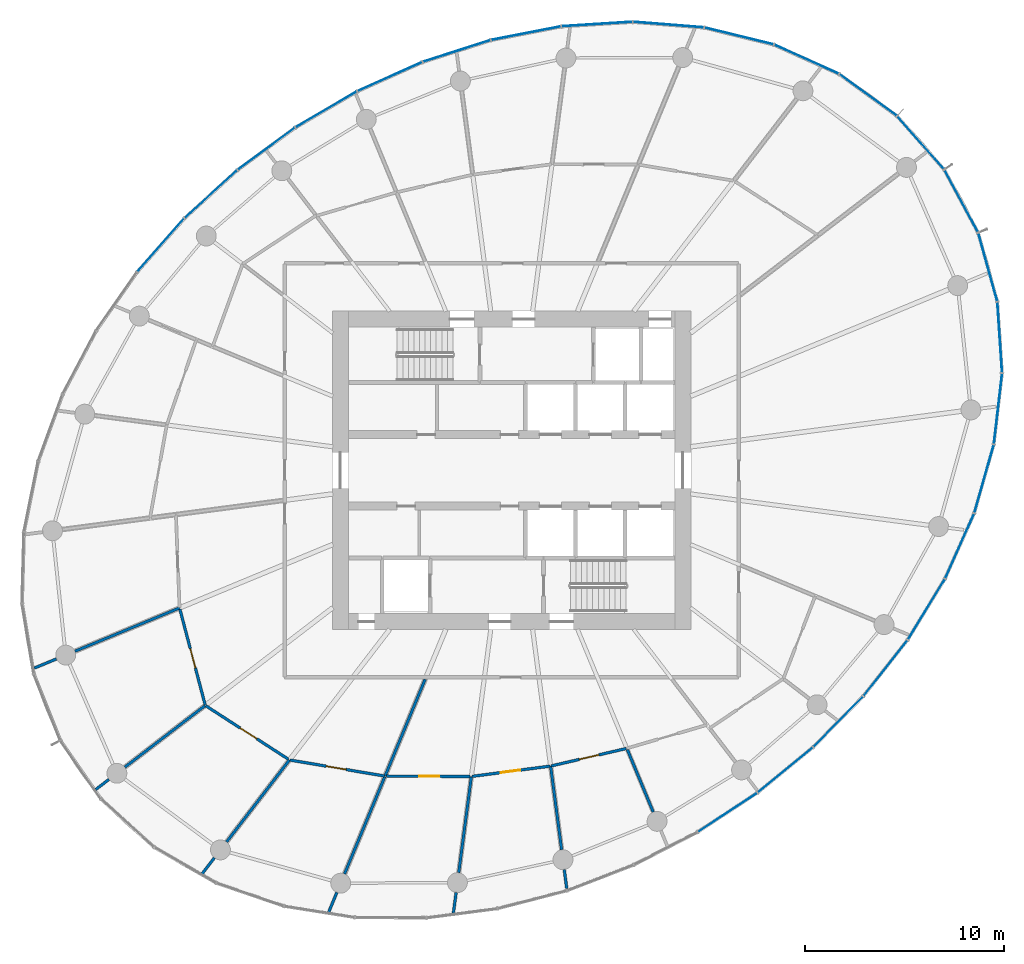
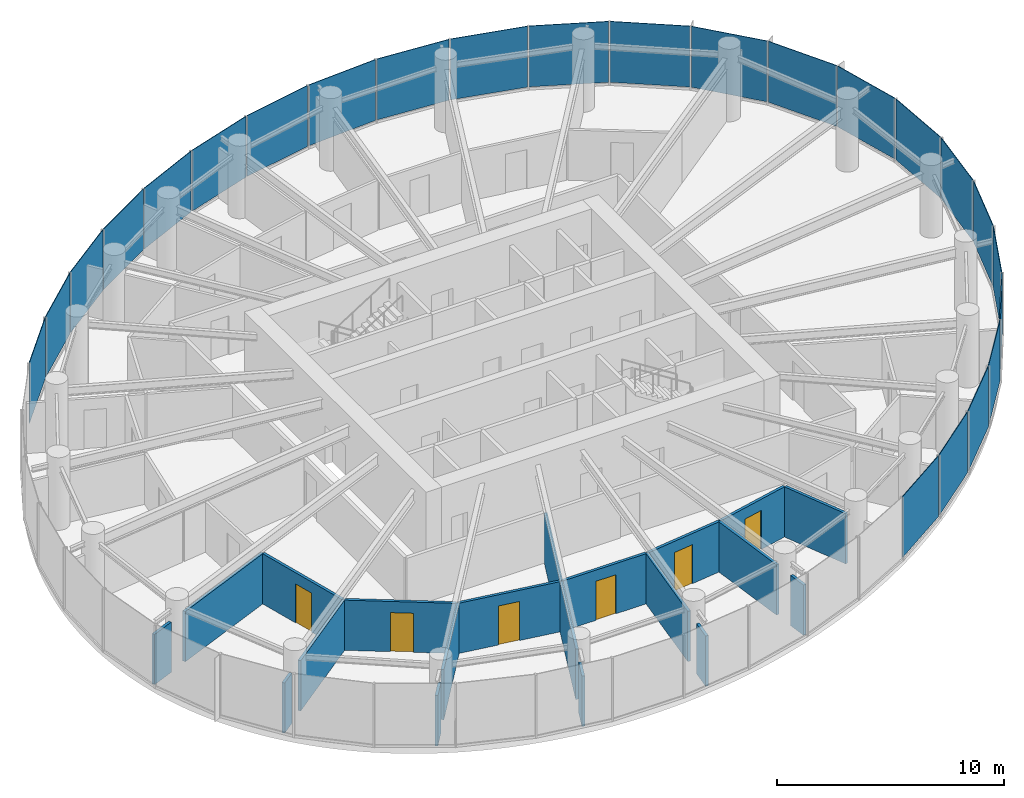
# One storey, part 8 of 15: 24 plates, 20 walls, 6 doors, 6 openings, 5 elements without a shape of their own.
"""IFC4 building model written with IfcOpenShell, lengths in metres."""

from ifc_helpers import new_model, si_unit, direction, frame, frame_2d, origin, origin_2d, place, context, subcontext, project, spatial, rectangle, extrude, source, transform, mapped, material, layer, layer_set, type_object, element, fill, aggregate, save


model = new_model("IFC4")

# Units and contexts
model_context = context("Model", 3, precision=1e-05, world=origin(), true_north=direction((0.0, 1.0)))
body_context = subcontext(model_context, "Body", "Model", "MODEL_VIEW")
ifc_project = project(units=[si_unit("LENGTHUNIT", "METRE"), si_unit("AREAUNIT", "SQUARE_METRE"), si_unit("VOLUMEUNIT", "CUBIC_METRE"), si_unit("PLANEANGLEUNIT", "RADIAN"), si_unit("MASSUNIT", "GRAM", prefix="KILO")], contexts=[model_context])

# Site, building, storey
site_placement = place(None, origin())
site = spatial("IfcSite", under=ifc_project, at=site_placement, CompositionType="ELEMENT")
building_placement = place(site_placement, origin())
building = spatial("IfcBuilding", under=site, at=building_placement, Name="Spindrift Exchange Tower", CompositionType="ELEMENT")
storey_placement = place(building_placement, frame((0.0, 0.0, 176.0)))
storey = spatial("IfcBuildingStorey", under=building, at=storey_placement, Name="L42", CompositionType="ELEMENT", Elevation=176.0)

# Curtain wall, plates
ifc_material_1 = material(Name="Fritted laminated glass with bronze frame", Category="glass")
ifc_layer_1 = layer(ifc_material_1, 0.179931640625)
ifc_layer_set_1 = layer_set([ifc_layer_1], Name="ZONE 3 BRONZE FRITTED WALL")
curtain_wall_type = type_object("IfcCurtainWallType", Name="ZONE 3 BRONZE FRITTED WALL", PredefinedType="NOTDEFINED", material=ifc_layer_set_1)
curtain_wall_1_placement = place(storey_placement, origin())
curtain_wall_1 = element("IfcCurtainWall", 1, at=curtain_wall_1_placement, inside=storey, type_object=curtain_wall_type, Name="L42 Zone 3 Bronze Fritted Wall run 1", PredefinedType="NOTDEFINED")
ifc_material_2 = material(Name="Bronze fritted laminated glass, open frit", Category="glass")
ifc_layer_2 = layer(ifc_material_2, 0.031982421875)
ifc_layer_set_2 = layer_set([ifc_layer_2], Name="ZONE 3 BRONZE FRITTED WALL PANEL OPEN FRIT 600")
plate_type_1 = type_object("IfcPlateType", Name="ZONE 3 BRONZE FRITTED WALL PANEL OPEN FRIT 600", PredefinedType="CURTAIN_PANEL", material=ifc_layer_set_2)
shared_shape_1 = source(origin(), body_context, "Body", "SweptSolid", [
    extrude(rectangle(XDim=3.524658203125, YDim=0.031982421875, at=origin_2d()), origin(), (0.0, 0.0, 1.0), 3.27001953125),
])
plate_1_placement = place(storey_placement, frame((72.542724609375, 64.44921875, 0.1298828125), z_axis=(0.0, 0.0, 1.0), x_axis=(-0.660662258976, 0.750683275133, 0.0)))
plate_1 = element("IfcPlate", 2, at=plate_1_placement, type_object=plate_type_1, Name="L42 panel CW-3.1", PredefinedType="CURTAIN_PANEL", context=body_context, shape_type="MappedRepresentation", body=[
    mapped(shared_shape_1, transform((0.0, 0.0, 0.0), scale=1.0)),
])
ifc_layer_3 = layer(ifc_material_2, 0.031982421875)
ifc_layer_set_3 = layer_set([ifc_layer_3], Name="ZONE 3 BRONZE FRITTED WALL PANEL OPEN FRIT 480")
plate_type_2 = type_object("IfcPlateType", Name="ZONE 3 BRONZE FRITTED WALL PANEL OPEN FRIT 480", PredefinedType="CURTAIN_PANEL", material=ifc_layer_set_3)
shared_shape_2 = source(origin(), body_context, "Body", "SweptSolid", [
    extrude(rectangle(XDim=3.525634765625, YDim=0.031982421875, at=origin_2d()), origin(), (0.0, 0.0, 1.0), 3.27001953125),
])
plate_2_placement = place(storey_placement, frame((69.8994140625, 66.853515625, 0.1298828125), z_axis=(0.0, 0.0, 1.0), x_axis=(-0.809757036341, 0.586765321143, 0.0)))
plate_2 = element("IfcPlate", 3, at=plate_2_placement, type_object=plate_type_2, Name="L42 panel CW-3.2", PredefinedType="CURTAIN_PANEL", context=body_context, shape_type="MappedRepresentation", body=[
    mapped(shared_shape_2, transform((0.0, 0.0, 0.0), scale=1.0)),
])

# Curtain wall, plate
curtain_wall_2_placement = place(storey_placement, origin())
curtain_wall_2 = element("IfcCurtainWall", 4, at=curtain_wall_2_placement, inside=storey, type_object=curtain_wall_type, Name="L42 Zone 3 Bronze Fritted Wall run 7", PredefinedType="NOTDEFINED")
plate_3_placement = place(storey_placement, frame((75.912109375, 58.20068359375, 0.1298828125), z_axis=(0.0, 0.0, 1.0), x_axis=(-0.267551186541, 0.963543648508, 0.0)))
plate_3 = element("IfcPlate", 5, at=plate_3_placement, type_object=plate_type_2, Name="L42 panel CW-3.40", PredefinedType="CURTAIN_PANEL", context=body_context, shape_type="MappedRepresentation", body=[
    mapped(shared_shape_2, transform((0.0, 0.0, 0.0), scale=1.0)),
])

# Plate
shared_shape_3 = source(origin(), body_context, "Body", "SweptSolid", [
    extrude(rectangle(XDim=3.52685546875, YDim=0.031982421875, at=origin_2d()), origin(), (0.0, 0.0, 1.0), 3.27001953125),
])
plate_4_placement = place(storey_placement, frame((66.803466796875, 68.64599609375, 0.1298828125), z_axis=(0.0, 0.0, 1.0), x_axis=(-0.9120027449, 0.410184096832, 0.0)))
plate_4 = element("IfcPlate", 6, at=plate_4_placement, type_object=plate_type_1, Name="L42 panel CW-3.3", PredefinedType="CURTAIN_PANEL", context=body_context, shape_type="MappedRepresentation", body=[
    mapped(shared_shape_3, transform((0.0, 0.0, 0.0), scale=1.0)),
])

shared_shape_4 = source(origin(), body_context, "Body", "SweptSolid", [
    extrude(rectangle(XDim=3.528076171875, YDim=0.031982421875, at=origin_2d()), origin(), (0.0, 0.0, 1.0), 3.27001953125),
])
plate_5_placement = place(storey_placement, frame((63.416015625, 69.81201171875, 0.1298828125), z_axis=(0.0, 0.0, 1.0), x_axis=(-0.971255303602, 0.238040196656, 0.0)))
plate_5 = element("IfcPlate", 7, at=plate_5_placement, type_object=plate_type_1, Name="L42 panel CW-3.4", PredefinedType="CURTAIN_PANEL", context=body_context, shape_type="MappedRepresentation", body=[
    mapped(shared_shape_4, transform((0.0, 0.0, 0.0), scale=1.0)),
])

ifc_layer_4 = layer(ifc_material_2, 0.031982421875)
ifc_layer_set_4 = layer_set([ifc_layer_4], Name="ZONE 3 BRONZE FRITTED WALL PANEL OPEN FRIT 360")
plate_type_3 = type_object("IfcPlateType", Name="ZONE 3 BRONZE FRITTED WALL PANEL OPEN FRIT 360", PredefinedType="CURTAIN_PANEL", material=ifc_layer_set_4)
shared_shape_5 = source(origin(), body_context, "Body", "SweptSolid", [
    extrude(rectangle(XDim=3.529052734375, YDim=0.031982421875, at=origin_2d()), origin(), (0.0, 0.0, 1.0), 3.27001953125),
])
plate_6_placement = place(storey_placement, frame((59.874755859375, 70.3828125, 0.1298828125), z_axis=(0.0, 0.0, 1.0), x_axis=(-0.99685097737, 0.079297723277, 0.0)))
plate_6 = element("IfcPlate", 8, at=plate_6_placement, type_object=plate_type_3, Name="L42 panel CW-3.5", PredefinedType="CURTAIN_PANEL", context=body_context, shape_type="MappedRepresentation", body=[
    mapped(shared_shape_5, transform((0.0, 0.0, 0.0), scale=1.0)),
])

shared_shape_6 = source(origin(), body_context, "Body", "SweptSolid", [
    extrude(rectangle(XDim=3.52978515625, YDim=0.031982421875, at=origin_2d()), origin(), (0.0, 0.0, 1.0), 3.27001953125),
])
plate_7_placement = place(storey_placement, frame((56.284423828125, 70.411376953125, 0.1298828125), z_axis=(0.0, 0.0, 1.0), x_axis=(-0.997985196904, -0.063447196626, 0.0)))
plate_7 = element("IfcPlate", 9, at=plate_7_placement, type_object=plate_type_1, Name="L42 panel CW-3.6", PredefinedType="CURTAIN_PANEL", context=body_context, shape_type="MappedRepresentation", body=[
    mapped(shared_shape_6, transform((0.0, 0.0, 0.0), scale=1.0)),
])

aggregate(curtain_wall_1, [plate_1, plate_2, plate_4, plate_5, plate_6, plate_7])

# Curtain wall, plate
curtain_wall_3_placement = place(storey_placement, origin())
curtain_wall_3 = element("IfcCurtainWall", 10, at=curtain_wall_3_placement, inside=storey, type_object=curtain_wall_type, Name="L42 Zone 3 Bronze Fritted Wall run 6", PredefinedType="NOTDEFINED")
plate_8_placement = place(storey_placement, frame((74.49853515625, 44.19970703125, 0.1298828125), z_axis=(0.0, 0.0, 1.0), x_axis=(0.407490673381, 0.913209368714, 0.0)))
plate_8 = element("IfcPlate", 11, at=plate_8_placement, type_object=plate_type_1, Name="L42 panel CW-3.36", PredefinedType="CURTAIN_PANEL", context=body_context, shape_type="MappedRepresentation", body=[
    mapped(shared_shape_6, transform((0.0, 0.0, 0.0), scale=1.0)),
])

# Curtain wall, plates
curtain_wall_4_placement = place(storey_placement, origin())
curtain_wall_4 = element("IfcCurtainWall", 12, at=curtain_wall_4_placement, inside=storey, type_object=curtain_wall_type, Name="L42 Zone 3 Bronze Fritted Wall run 2", PredefinedType="NOTDEFINED")
shared_shape_7 = source(origin(), body_context, "Body", "SweptSolid", [
    extrude(rectangle(XDim=3.5302734375, YDim=0.031982421875, at=origin_2d()), origin(), (0.0, 0.0, 1.0), 3.27001953125),
])
plate_9_placement = place(storey_placement, frame((52.72119140625, 69.953369140625, 0.1298828125), z_axis=(0.0, 0.0, 1.0), x_axis=(-0.981587532358, -0.191012869514, 0.0)))
plate_9 = element("IfcPlate", 13, at=plate_9_placement, type_object=plate_type_1, Name="L42 panel CW-3.7", PredefinedType="CURTAIN_PANEL", context=body_context, shape_type="MappedRepresentation", body=[
    mapped(shared_shape_7, transform((0.0, 0.0, 0.0), scale=1.0)),
])
shared_shape_8 = source(origin(), body_context, "Body", "SweptSolid", [
    extrude(rectangle(XDim=3.530517578125, YDim=0.031982421875, at=origin_2d()), origin(), (0.0, 0.0, 1.0), 3.27001953125),
])
plate_10_placement = place(storey_placement, frame((49.239990234375, 69.059326171875, 0.1298828125), z_axis=(0.0, 0.0, 1.0), x_axis=(-0.952164599996, -0.305585625503, 0.0)))
plate_10 = element("IfcPlate", 14, at=plate_10_placement, type_object=plate_type_1, Name="L42 panel CW-3.8", PredefinedType="CURTAIN_PANEL", context=body_context, shape_type="MappedRepresentation", body=[
    mapped(shared_shape_8, transform((0.0, 0.0, 0.0), scale=1.0)),
])
shared_shape_9 = source(origin(), body_context, "Body", "SweptSolid", [
    extrude(rectangle(XDim=3.53076171875, YDim=0.031982421875, at=origin_2d()), origin(), (0.0, 0.0, 1.0), 3.27001953125),
])
plate_11_placement = place(storey_placement, frame((45.88330078125, 67.772216796875, 0.1298828125), z_axis=(0.0, 0.0, 1.0), x_axis=(-0.912397501866, -0.409305263328, 0.0)))
plate_11 = element("IfcPlate", 15, at=plate_11_placement, type_object=plate_type_1, Name="L42 panel CW-3.9", PredefinedType="CURTAIN_PANEL", context=body_context, shape_type="MappedRepresentation", body=[
    mapped(shared_shape_9, transform((0.0, 0.0, 0.0), scale=1.0)),
])
plate_12_placement = place(storey_placement, frame((36.89794921875, 61.875244140625, 0.1298828125), z_axis=(0.0, 0.0, 1.0), x_axis=(-0.739077595143, -0.673620299841, 0.0)))
plate_12 = element("IfcPlate", 16, at=plate_12_placement, type_object=plate_type_1, Name="L42 panel CW-3.12", PredefinedType="CURTAIN_PANEL", context=body_context, shape_type="MappedRepresentation", body=[
    mapped(shared_shape_9, transform((0.0, 0.0, 0.0), scale=1.0)),
])

# Plate
plate_13_placement = place(storey_placement, frame((68.397705078125, 35.37158203125, 0.1298828125), z_axis=(0.0, 0.0, 1.0), x_axis=(0.701796304314, 0.71237767178, 0.0)))
plate_13 = element("IfcPlate", 17, at=plate_13_placement, type_object=plate_type_1, Name="L42 panel CW-3.33", PredefinedType="CURTAIN_PANEL", context=body_context, shape_type="MappedRepresentation", body=[
    mapped(shared_shape_9, transform((0.0, 0.0, 0.0), scale=1.0)),
])

shared_shape_10 = source(origin(), body_context, "Body", "SweptSolid", [
    extrude(rectangle(XDim=3.531005859375, YDim=0.031982421875, at=origin_2d()), origin(), (0.0, 0.0, 1.0), 3.27001953125),
])
plate_14_placement = place(storey_placement, frame((42.685791015625, 66.12744140625, 0.1298828125), z_axis=(0.0, 0.0, 1.0), x_axis=(-0.863565451016, -0.504236761661, 0.0)))
plate_14 = element("IfcPlate", 18, at=plate_14_placement, type_object=plate_type_3, Name="L42 panel CW-3.10", PredefinedType="CURTAIN_PANEL", context=body_context, shape_type="MappedRepresentation", body=[
    mapped(shared_shape_10, transform((0.0, 0.0, 0.0), scale=1.0)),
])

shared_shape_11 = source(origin(), body_context, "Body", "SweptSolid", [
    extrude(rectangle(XDim=3.531005859375, YDim=0.031982421875, at=origin_2d()), origin(), (0.0, 0.0, 1.0), 3.27001953125),
])
plate_15_placement = place(storey_placement, frame((39.6796875, 64.15380859375, 0.1298828125), z_axis=(0.0, 0.0, 1.0), x_axis=(-0.805965477943, -0.591962539663, 0.0)))
plate_15 = element("IfcPlate", 19, at=plate_15_placement, type_object=plate_type_1, Name="L42 panel CW-3.11", PredefinedType="CURTAIN_PANEL", context=body_context, shape_type="MappedRepresentation", body=[
    mapped(shared_shape_11, transform((0.0, 0.0, 0.0), scale=1.0)),
])

aggregate(curtain_wall_4, [plate_9, plate_10, plate_11, plate_14, plate_15, plate_12])

plate_16_placement = place(storey_placement, frame((62.84326171875, 30.819580078125, 0.1298828125), z_axis=(0.0, 0.0, 1.0), x_axis=(0.835875388967, 0.548919241891, 0.0)))
plate_16 = element("IfcPlate", 20, at=plate_16_placement, type_object=plate_type_1, Name="L42 panel CW-3.31", PredefinedType="CURTAIN_PANEL", context=body_context, shape_type="MappedRepresentation", body=[
    mapped(shared_shape_11, transform((0.0, 0.0, 0.0), scale=1.0)),
])

plate_17_placement = place(storey_placement, frame((65.7412109375, 32.948486328125, 0.1298828125), z_axis=(0.0, 0.0, 1.0), x_axis=(0.773741814614, 0.633501068916, 0.0)))
plate_17 = element("IfcPlate", 21, at=plate_17_placement, type_object=plate_type_1, Name="L42 panel CW-3.32", PredefinedType="CURTAIN_PANEL", context=body_context, shape_type="MappedRepresentation", body=[
    mapped(shared_shape_11, transform((0.0, 0.0, 0.0), scale=1.0)),
])

# Curtain wall, plate
curtain_wall_5_placement = place(storey_placement, origin())
curtain_wall_5 = element("IfcCurtainWall", 22, at=curtain_wall_5_placement, inside=storey, type_object=curtain_wall_type, Name="L42 Zone 3 Bronze Fritted Wall run 3", PredefinedType="NOTDEFINED")
shared_shape_12 = source(origin(), body_context, "Body", "SweptSolid", [
    extrude(rectangle(XDim=3.53076171875, YDim=0.031982421875, at=origin_2d()), origin(), (0.0, 0.0, 1.0), 3.27001953125),
])
plate_18_placement = place(storey_placement, frame((34.376220703125, 59.312744140625, 0.1298828125), z_axis=(0.0, 0.0, 1.0), x_axis=(-0.661686211487, -0.749780873008, 0.0)))
plate_18 = element("IfcPlate", 23, at=plate_18_placement, type_object=plate_type_3, Name="L42 panel CW-3.13", PredefinedType="CURTAIN_PANEL", context=body_context, shape_type="MappedRepresentation", body=[
    mapped(shared_shape_12, transform((0.0, 0.0, 0.0), scale=1.0)),
])
aggregate(curtain_wall_5, [plate_18])

# Plate
shared_shape_13 = source(origin(), body_context, "Body", "SweptSolid", [
    extrude(rectangle(XDim=3.530517578125, YDim=0.031982421875, at=origin_2d()), origin(), (0.0, 0.0, 1.0), 3.27001953125),
])
plate_19_placement = place(storey_placement, frame((70.774658203125, 38.069091796875, 0.1298828125), z_axis=(0.0, 0.0, 1.0), x_axis=(0.61845639947, 0.78581911529, 0.0)))
plate_19 = element("IfcPlate", 24, at=plate_19_placement, type_object=plate_type_2, Name="L42 panel CW-3.34", PredefinedType="CURTAIN_PANEL", context=body_context, shape_type="MappedRepresentation", body=[
    mapped(shared_shape_13, transform((0.0, 0.0, 0.0), scale=1.0)),
])

shared_shape_14 = source(origin(), body_context, "Body", "SweptSolid", [
    extrude(rectangle(XDim=3.5302734375, YDim=0.031982421875, at=origin_2d()), origin(), (0.0, 0.0, 1.0), 3.27001953125),
])
plate_20_placement = place(storey_placement, frame((72.82666015625, 41.019775390625, 0.1298828125), z_axis=(0.0, 0.0, 1.0), x_axis=(0.521344780273, 0.853346131462, 0.0)))
plate_20 = element("IfcPlate", 25, at=plate_20_placement, type_object=plate_type_3, Name="L42 panel CW-3.35", PredefinedType="CURTAIN_PANEL", context=body_context, shape_type="MappedRepresentation", body=[
    mapped(shared_shape_14, transform((0.0, 0.0, 0.0), scale=1.0)),
])

aggregate(curtain_wall_3, [plate_16, plate_17, plate_13, plate_19, plate_20, plate_8])

shared_shape_15 = source(origin(), body_context, "Body", "SweptSolid", [
    extrude(rectangle(XDim=3.529052734375, YDim=0.031982421875, at=origin_2d()), origin(), (0.0, 0.0, 1.0), 3.27001953125),
])
plate_21_placement = place(storey_placement, frame((75.723876953125, 47.574462890625, 0.1298828125), z_axis=(0.0, 0.0, 1.0), x_axis=(0.273314592, 0.96192470277, 0.0)))
plate_21 = element("IfcPlate", 26, at=plate_21_placement, type_object=plate_type_2, Name="L42 panel CW-3.37", PredefinedType="CURTAIN_PANEL", context=body_context, shape_type="MappedRepresentation", body=[
    mapped(shared_shape_15, transform((0.0, 0.0, 0.0), scale=1.0)),
])

shared_shape_16 = source(origin(), body_context, "Body", "SweptSolid", [
    extrude(rectangle(XDim=3.528076171875, YDim=0.031982421875, at=origin_2d()), origin(), (0.0, 0.0, 1.0), 3.27001953125),
])
plate_22_placement = place(storey_placement, frame((76.423583984375, 51.092529296875, 0.1298828125), z_axis=(0.0, 0.0, 1.0), x_axis=(0.115642762791, 0.993290869491, 0.0)))
plate_22 = element("IfcPlate", 27, at=plate_22_placement, type_object=plate_type_2, Name="L42 panel CW-3.38", PredefinedType="CURTAIN_PANEL", context=body_context, shape_type="MappedRepresentation", body=[
    mapped(shared_shape_16, transform((0.0, 0.0, 0.0), scale=1.0)),
])

shared_shape_17 = source(origin(), body_context, "Body", "SweptSolid", [
    extrude(rectangle(XDim=3.52685546875, YDim=0.031982421875, at=origin_2d()), origin(), (0.0, 0.0, 1.0), 3.27001953125),
])
plate_23_placement = place(storey_placement, frame((76.512451171875, 54.674072265625, 0.1298828125), z_axis=(0.0, 0.0, 1.0), x_axis=(-0.066390579917, 0.997793711595, 0.0)))
plate_23 = element("IfcPlate", 28, at=plate_23_placement, type_object=plate_type_2, Name="L42 panel CW-3.39", PredefinedType="CURTAIN_PANEL", context=body_context, shape_type="MappedRepresentation", body=[
    mapped(shared_shape_17, transform((0.0, 0.0, 0.0), scale=1.0)),
])

shared_shape_18 = source(origin(), body_context, "Body", "SweptSolid", [
    extrude(rectangle(XDim=3.52490234375, YDim=0.031982421875, at=origin_2d()), origin(), (0.0, 0.0, 1.0), 3.27001953125),
])
plate_24_placement = place(storey_placement, frame((74.58056640625, 61.5166015625, 0.1298828125), z_axis=(0.0, 0.0, 1.0), x_axis=(-0.473127475376, 0.880993979574, 0.0)))
plate_24 = element("IfcPlate", 29, at=plate_24_placement, type_object=plate_type_1, Name="L42 panel CW-3.41", PredefinedType="CURTAIN_PANEL", context=body_context, shape_type="MappedRepresentation", body=[
    mapped(shared_shape_18, transform((0.0, 0.0, 0.0), scale=1.0)),
])

aggregate(curtain_wall_2, [plate_21, plate_22, plate_23, plate_3, plate_24])

# Walls
ifc_material_3 = material(Name="Fire-rated plasterboard partition", Category="gypsum")
ifc_layer_5 = layer(ifc_material_3, 0.139892578125)
ifc_layer_set_5 = layer_set([ifc_layer_5], Name="W-PART-140")
wall_type = type_object("IfcWallType", Name="W-PART-140", PredefinedType="PARTITIONING", material=ifc_layer_set_5)
wall_1_placement = place(storey_placement, frame((35.320556640625, 41.091064453125, 0.0), z_axis=(0.0, 0.0, 1.0), x_axis=(-0.923886990837, -0.382665425879, 0.0)))
element("IfcWall", 30, at=wall_1_placement, inside=storey, type_object=wall_type, Name="L42 Partition wall 31", PredefinedType="PARTITIONING", context=body_context, shape_type="SweptSolid", body=[
    extrude(rectangle(XDim=5.683349609375, YDim=0.139892578125, at=frame_2d((2.841796875, 0.0))), origin(), (0.0, 0.0, 1.0), 2.699951171875),
])
wall_2_placement = place(storey_placement, frame((47.65478515625, 37.510009765625, 0.0), z_axis=(0.0, 0.0, 1.0), x_axis=(-0.382665709235, -0.923886873473, 0.0)))
element("IfcWall", 31, at=wall_2_placement, inside=storey, type_object=wall_type, Name="L42 Partition wall 34", PredefinedType="PARTITIONING", context=body_context, shape_type="SweptSolid", body=[
    extrude(rectangle(XDim=5.26611328125, YDim=0.139892578125, at=frame_2d((2.633056640625, 0.0))), origin(), (0.0, 0.0, 1.0), 2.699951171875),
])
wall_3_placement = place(storey_placement, frame((45.628173828125, 32.6171875, 0.0), z_axis=(0.0, 0.0, 1.0), x_axis=(-0.382675537461, -0.923882802648, 0.0)))
element("IfcWall", 32, at=wall_3_placement, inside=storey, type_object=wall_type, Name="L42 Partition wall 35", PredefinedType="PARTITIONING", context=body_context, shape_type="SweptSolid", body=[
    extrude(rectangle(XDim=5.28369140625, YDim=0.139892578125, at=frame_2d((2.641845703125, 0.0))), origin(), (0.0, 0.0, 1.0), 2.699951171875),
])
wall_4_placement = place(storey_placement, frame((40.840576171875, 33.456787109375, 0.0), z_axis=(0.0, 0.0, 1.0), x_axis=(-0.608780216018, -0.793338924159, 0.0)))
element("IfcWall", 33, at=wall_4_placement, inside=storey, type_object=wall_type, Name="L42 Partition wall 37", PredefinedType="PARTITIONING", context=body_context, shape_type="SweptSolid", body=[
    extrude(rectangle(XDim=5.188232421875, YDim=0.139892578125, at=frame_2d((2.59423828125, 0.0))), origin(), (0.0, 0.0, 1.0), 2.699951171875),
])
wall_5_placement = place(storey_placement, frame((36.6142578125, 36.194091796875, 0.0), z_axis=(0.0, 0.0, 1.0), x_axis=(-0.79337017358, -0.608739490811, 0.0)))
element("IfcWall", 34, at=wall_5_placement, inside=storey, type_object=wall_type, Name="L42 Partition wall 39", PredefinedType="PARTITIONING", context=body_context, shape_type="SweptSolid", body=[
    extrude(rectangle(XDim=5.09228515625, YDim=0.139892578125, at=frame_2d((2.546142578125, 0.0))), origin(), (0.0, 0.0, 1.0), 2.699951171875),
])

# Wall, opening, door
wall_6_placement = place(storey_placement, frame((36.606689453125, 36.22314453125, 0.0), z_axis=(0.0, 0.0, 1.0), x_axis=(-0.255485666684, 0.966812843377, 0.0)))
wall_6 = element("IfcWall", 35, at=wall_6_placement, inside=storey, type_object=wall_type, Name="L42 Partition wall 41", PredefinedType="PARTITIONING", context=body_context, shape_type="SweptSolid", body=[
    extrude(rectangle(XDim=4.96435546875, YDim=0.139892578125, at=frame_2d((2.482177734375, 0.0))), origin(), (0.0, 0.0, 1.0), 2.699951171875),
])
opening_1_placement = place(wall_6_placement, frame((1.914306640625, 0.0, 0.0)))
opening_1 = element("IfcOpeningElement", 36, at=opening_1_placement, cuts=wall_6, Name="Opening L42-D27", PredefinedType="OPENING", context=body_context, shape_type="SweptSolid", body=[
    extrude(rectangle(XDim=1.0, YDim=2.10009765625, at=frame_2d((0.5, 1.050048828125))), frame((0.0, 0.079833984375, 0.0), z_axis=(0.0, -1.0, 0.0), x_axis=(1.0, 0.0, 0.0)), (0.0, 0.0, 1.0), 0.159912109375),
])
ifc_material_4 = material(Name="Timber-core fire door", Category="wood")
door_type = type_object("IfcDoorType", Name="DR-ROOM-1000", OperationType="NOTDEFINED", PredefinedType="DOOR", material=ifc_material_4)
shared_shape_19 = source(origin(), body_context, "Body", "SweptSolid", [
    extrude(rectangle(XDim=1.0, YDim=2.10009765625, at=frame_2d((0.5, 1.050048828125))), frame((0.0, 0.02490234375, 0.0), z_axis=(0.0, -1.0, 0.0), x_axis=(1.0, 0.0, 0.0)), (0.0, 0.0, 1.0), 0.050048828125),
])
door_1_placement = place(opening_1_placement, origin())
door_1 = element("IfcDoor", 37, at=door_1_placement, inside=storey, type_object=door_type, Name="L42 Door 27", OperationType="SINGLE_SWING_RIGHT", OverallHeight=2.10009765625, OverallWidth=1.0, PredefinedType="DOOR", context=body_context, shape_type="MappedRepresentation", body=[
    mapped(shared_shape_19, transform((0.0, 0.0, 0.0), scale=1.0)),
])
fill(opening_1, door_1)

wall_7_placement = place(storey_placement, frame((40.78173828125, 33.4951171875, 0.0), z_axis=(0.0, 0.0, 1.0), x_axis=(-0.839336490457, 0.543612229247, 0.0)))
wall_7 = element("IfcWall", 38, at=wall_7_placement, inside=storey, type_object=wall_type, Name="L42 Partition wall 43", PredefinedType="PARTITIONING", context=body_context, shape_type="SweptSolid", body=[
    extrude(rectangle(XDim=4.935302734375, YDim=0.139892578125, at=frame_2d((2.4677734375, 0.0))), origin(), (0.0, 0.0, 1.0), 2.699951171875),
])
opening_2_placement = place(wall_7_placement, frame((1.885009765625, 0.0, 0.0)))
opening_2 = element("IfcOpeningElement", 39, at=opening_2_placement, cuts=wall_7, Name="Opening L42-D28", PredefinedType="OPENING", context=body_context, shape_type="SweptSolid", body=[
    extrude(rectangle(XDim=1.0, YDim=2.10009765625, at=frame_2d((0.5, 1.050048828125))), frame((0.0, 0.079833984375, 0.0), z_axis=(0.0, -1.0, 0.0), x_axis=(1.0, 0.0, 0.0)), (0.0, 0.0, 1.0), 0.159912109375),
])
door_2_placement = place(opening_2_placement, origin())
door_2 = element("IfcDoor", 40, at=door_2_placement, inside=storey, type_object=door_type, Name="L42 Door 28", OperationType="SINGLE_SWING_LEFT", OverallHeight=2.10009765625, OverallWidth=1.0, PredefinedType="DOOR", context=body_context, shape_type="MappedRepresentation", body=[
    mapped(shared_shape_19, transform((0.0, 0.0, 0.0), scale=1.0)),
])
fill(opening_2, door_2)

# Wall
wall_8_placement = place(storey_placement, frame((49.97607421875, 32.627197265625, 0.0), z_axis=(0.0, 0.0, 1.0), x_axis=(-0.130536143806, -0.991443551172, 0.0)))
element("IfcWall", 41, at=wall_8_placement, inside=storey, type_object=wall_type, Name="L42 Partition wall 45", PredefinedType="PARTITIONING", context=body_context, shape_type="SweptSolid", body=[
    extrude(rectangle(XDim=4.8740234375, YDim=0.139892578125, at=frame_2d((2.43701171875, 0.0))), origin(), (0.0, 0.0, 1.0), 2.699951171875),
])

# Wall, opening, door
wall_9_placement = place(storey_placement, frame((45.610107421875, 32.64990234375, 0.0), z_axis=(0.0, 0.0, 1.0), x_axis=(-0.985986026567, 0.166827921569, 0.0)))
wall_9 = element("IfcWall", 42, at=wall_9_placement, inside=storey, type_object=wall_type, Name="L42 Partition wall 47", PredefinedType="PARTITIONING", context=body_context, shape_type="SweptSolid", body=[
    extrude(rectangle(XDim=4.807373046875, YDim=0.139892578125, at=frame_2d((2.40380859375, 0.0))), origin(), (0.0, 0.0, 1.0), 2.699951171875),
])
opening_3_placement = place(wall_9_placement, frame((1.957275390625, 0.0, 0.0)))
opening_3 = element("IfcOpeningElement", 43, at=opening_3_placement, cuts=wall_9, Name="Opening L42-D29", PredefinedType="OPENING", context=body_context, shape_type="SweptSolid", body=[
    extrude(rectangle(XDim=1.0, YDim=2.10009765625, at=frame_2d((0.5, 1.050048828125))), frame((0.0, 0.079833984375, 0.0), z_axis=(0.0, -1.0, 0.0), x_axis=(1.0, 0.0, 0.0)), (0.0, 0.0, 1.0), 0.159912109375),
])
door_3_placement = place(opening_3_placement, origin())
door_3 = element("IfcDoor", 44, at=door_3_placement, inside=storey, type_object=door_type, Name="L42 Door 29", OperationType="SINGLE_SWING_RIGHT", OverallHeight=2.10009765625, OverallWidth=1.0, PredefinedType="DOOR", context=body_context, shape_type="MappedRepresentation", body=[
    mapped(shared_shape_19, transform((0.0, 0.0, 0.0), scale=1.0)),
])
fill(opening_3, door_3)

wall_10_placement = place(storey_placement, frame((49.905517578125, 32.627685546875, 0.0), z_axis=(0.0, 0.0, 1.0), x_axis=(-0.999991918788, 0.004020243687, 0.0)))
wall_10 = element("IfcWall", 45, at=wall_10_placement, inside=storey, type_object=wall_type, Name="L42 Partition wall 58", PredefinedType="PARTITIONING", context=body_context, shape_type="SweptSolid", body=[
    extrude(rectangle(XDim=4.190185546875, YDim=0.139892578125, at=frame_2d((2.09521484375, 0.0))), origin(), (0.0, 0.0, 1.0), 2.699951171875),
])
opening_4_placement = place(wall_10_placement, frame((1.540283203125, 0.0, 0.0)))
opening_4 = element("IfcOpeningElement", 46, at=opening_4_placement, cuts=wall_10, Name="Opening L42-D31", PredefinedType="OPENING", context=body_context, shape_type="SweptSolid", body=[
    extrude(rectangle(XDim=1.0, YDim=2.10009765625, at=frame_2d((0.5, 1.050048828125))), frame((0.0, 0.079833984375, 0.0), z_axis=(0.0, -1.0, 0.0), x_axis=(1.0, 0.0, 0.0)), (0.0, 0.0, 1.0), 0.159912109375),
])
door_4_placement = place(opening_4_placement, origin())
door_4 = element("IfcDoor", 47, at=door_4_placement, inside=storey, type_object=door_type, Name="L42 Door 31", OperationType="SINGLE_SWING_RIGHT", OverallHeight=2.10009765625, OverallWidth=1.0, PredefinedType="DOOR", context=body_context, shape_type="MappedRepresentation", body=[
    mapped(shared_shape_19, transform((0.0, 0.0, 0.0), scale=1.0)),
])
fill(opening_4, door_4)

# Wall
wall_11_placement = place(storey_placement, frame((53.955078125, 33.149658203125, 0.0), z_axis=(0.0, 0.0, 1.0), x_axis=(0.130506679213, -0.991447430115, 0.0)))
element("IfcWall", 48, at=wall_11_placement, inside=storey, type_object=wall_type, Name="L42 Partition wall 60", PredefinedType="PARTITIONING", context=body_context, shape_type="SweptSolid", body=[
    extrude(rectangle(XDim=4.237060546875, YDim=0.139892578125, at=frame_2d((2.11865234375, 0.0))), origin(), (0.0, 0.0, 1.0), 2.699951171875),
])

# Wall, opening, door
wall_12_placement = place(storey_placement, frame((53.92529296875, 33.145751953125, 0.0), z_axis=(0.0, 0.0, 1.0), x_axis=(-0.991489154897, -0.130189307246, 0.0)))
wall_12 = element("IfcWall", 49, at=wall_12_placement, inside=storey, type_object=wall_type, Name="L42 Partition wall 64", PredefinedType="PARTITIONING", context=body_context, shape_type="SweptSolid", body=[
    extrude(rectangle(XDim=3.953125, YDim=0.139892578125, at=frame_2d((1.9765625, 0.0))), origin(), (0.0, 0.0, 1.0), 2.699951171875),
])
opening_5_placement = place(wall_12_placement, frame((1.503173828125, 0.0, 0.0)))
opening_5 = element("IfcOpeningElement", 50, at=opening_5_placement, cuts=wall_12, Name="Opening L42-D32", PredefinedType="OPENING", context=body_context, shape_type="SweptSolid", body=[
    extrude(rectangle(XDim=1.0, YDim=2.10009765625, at=frame_2d((0.5, 1.050048828125))), frame((0.0, 0.079833984375, 0.0), z_axis=(0.0, -1.0, 0.0), x_axis=(1.0, 0.0, 0.0)), (0.0, 0.0, 1.0), 0.159912109375),
])
door_5_placement = place(opening_5_placement, origin())
door_5 = element("IfcDoor", 51, at=door_5_placement, inside=storey, type_object=door_type, Name="L42 Door 32", OperationType="SINGLE_SWING_LEFT", OverallHeight=2.10009765625, OverallWidth=1.0, PredefinedType="DOOR", context=body_context, shape_type="MappedRepresentation", body=[
    mapped(shared_shape_19, transform((0.0, 0.0, 0.0), scale=1.0)),
])
fill(opening_5, door_5)

wall_13_placement = place(storey_placement, frame((57.75390625, 34.03173828125, 0.0), z_axis=(0.0, 0.0, 1.0), x_axis=(-0.974087273118, -0.226172465941, 0.0)))
wall_13 = element("IfcWall", 52, at=wall_13_placement, inside=storey, type_object=wall_type, Name="L42 Partition wall 67", PredefinedType="PARTITIONING", context=body_context, shape_type="SweptSolid", body=[
    extrude(rectangle(XDim=3.869873046875, YDim=0.139892578125, at=frame_2d((1.93505859375, 0.0))), origin(), (0.0, 0.0, 1.0), 2.699951171875),
])
opening_6_placement = place(wall_13_placement, frame((1.419921875, 0.0, 0.0)))
opening_6 = element("IfcOpeningElement", 53, at=opening_6_placement, cuts=wall_13, Name="Opening L42-D33", PredefinedType="OPENING", context=body_context, shape_type="SweptSolid", body=[
    extrude(rectangle(XDim=1.0, YDim=2.10009765625, at=frame_2d((0.5, 1.050048828125))), frame((0.0, 0.079833984375, 0.0), z_axis=(0.0, -1.0, 0.0), x_axis=(1.0, 0.0, 0.0)), (0.0, 0.0, 1.0), 0.159912109375),
])
door_6_placement = place(opening_6_placement, origin())
door_6 = element("IfcDoor", 54, at=door_6_placement, inside=storey, type_object=door_type, Name="L42 Door 33", OperationType="SINGLE_SWING_RIGHT", OverallHeight=2.10009765625, OverallWidth=1.0, PredefinedType="DOOR", context=body_context, shape_type="MappedRepresentation", body=[
    mapped(shared_shape_19, transform((0.0, 0.0, 0.0), scale=1.0)),
])
fill(opening_6, door_6)

# Walls
wall_14_placement = place(storey_placement, frame((57.81005859375, 33.973388671875, 0.0), z_axis=(0.0, 0.0, 1.0), x_axis=(0.382697308523, -0.923873784696, 0.0)))
element("IfcWall", 55, at=wall_14_placement, inside=storey, type_object=wall_type, Name="L42 Partition wall 71", PredefinedType="PARTITIONING", context=body_context, shape_type="SweptSolid", body=[
    extrude(rectangle(XDim=3.390625, YDim=0.139892578125, at=frame_2d((1.6953125, 0.0))), origin(), (0.0, 0.0, 1.0), 2.699951171875),
])
wall_15_placement = place(storey_placement, frame((29.13671875, 38.52978515625, 0.0), z_axis=(0.0, 0.0, 1.0), x_axis=(-0.923882723383, -0.382675728829, 0.0)))
element("IfcWall", 56, at=wall_15_placement, inside=storey, type_object=wall_type, Name="L42 Partition wall 83", PredefinedType="PARTITIONING", context=body_context, shape_type="SweptSolid", body=[
    extrude(rectangle(XDim=1.1982421875, YDim=0.139892578125, at=frame_2d((0.59912109375, 0.0))), origin(), (0.0, 0.0, 1.0), 2.699951171875),
])
wall_16_placement = place(storey_placement, frame((43.2197265625, 26.802490234375, 0.0), z_axis=(0.0, 0.0, 1.0), x_axis=(-0.382597376548, -0.923915173302, 0.0)))
element("IfcWall", 57, at=wall_16_placement, inside=storey, type_object=wall_type, Name="L42 Partition wall 84", PredefinedType="PARTITIONING", context=body_context, shape_type="SweptSolid", body=[
    extrude(rectangle(XDim=1.082763671875, YDim=0.139892578125, at=frame_2d((0.54150390625, 0.0))), origin(), (0.0, 0.0, 1.0), 2.699951171875),
])
wall_17_placement = place(storey_placement, frame((49.208251953125, 26.794677734375, 0.0), z_axis=(0.0, 0.0, 1.0), x_axis=(-0.130569518357, -0.991439156417, 0.0)))
element("IfcWall", 58, at=wall_17_placement, inside=storey, type_object=wall_type, Name="L42 Partition wall 86", PredefinedType="PARTITIONING", context=body_context, shape_type="SweptSolid", body=[
    extrude(rectangle(XDim=1.04345703125, YDim=0.139892578125, at=frame_2d((0.521728515625, 0.0))), origin(), (0.0, 0.0, 1.0), 2.699951171875),
])
wall_18_placement = place(storey_placement, frame((37.068115234375, 28.540283203125, 0.0), z_axis=(0.0, 0.0, 1.0), x_axis=(-0.608815264587, -0.793312027897, 0.0)))
element("IfcWall", 59, at=wall_18_placement, inside=storey, type_object=wall_type, Name="L42 Partition wall 89", PredefinedType="PARTITIONING", context=body_context, shape_type="SweptSolid", body=[
    extrude(rectangle(XDim=1.014892578125, YDim=0.139892578125, at=frame_2d((0.50732421875, 0.0))), origin(), (0.0, 0.0, 1.0), 2.699951171875),
])
wall_19_placement = place(storey_placement, frame((54.639892578125, 27.948486328125, 0.0), z_axis=(0.0, 0.0, 1.0), x_axis=(0.130434626054, -0.991456911987, 0.0)))
element("IfcWall", 60, at=wall_19_placement, inside=storey, type_object=wall_type, Name="L42 Partition wall 90", PredefinedType="PARTITIONING", context=body_context, shape_type="SweptSolid", body=[
    extrude(rectangle(XDim=0.95263671875, YDim=0.139892578125, at=frame_2d((0.476318359375, 0.0))), origin(), (0.0, 0.0, 1.0), 2.699951171875),
])
wall_20_placement = place(storey_placement, frame((31.77392578125, 32.47998046875, 0.0), z_axis=(0.0, 0.0, 1.0), x_axis=(-0.793296212725, -0.608835871871, 0.0)))
element("IfcWall", 61, at=wall_20_placement, inside=storey, type_object=wall_type, Name="L42 Partition wall 97", PredefinedType="PARTITIONING", context=body_context, shape_type="SweptSolid", body=[
    extrude(rectangle(XDim=0.83642578125, YDim=0.139892578125, at=frame_2d((0.418212890625, 0.0))), origin(), (0.0, 0.0, 1.0), 2.699951171875),
])

save(model, "model.ifc")
